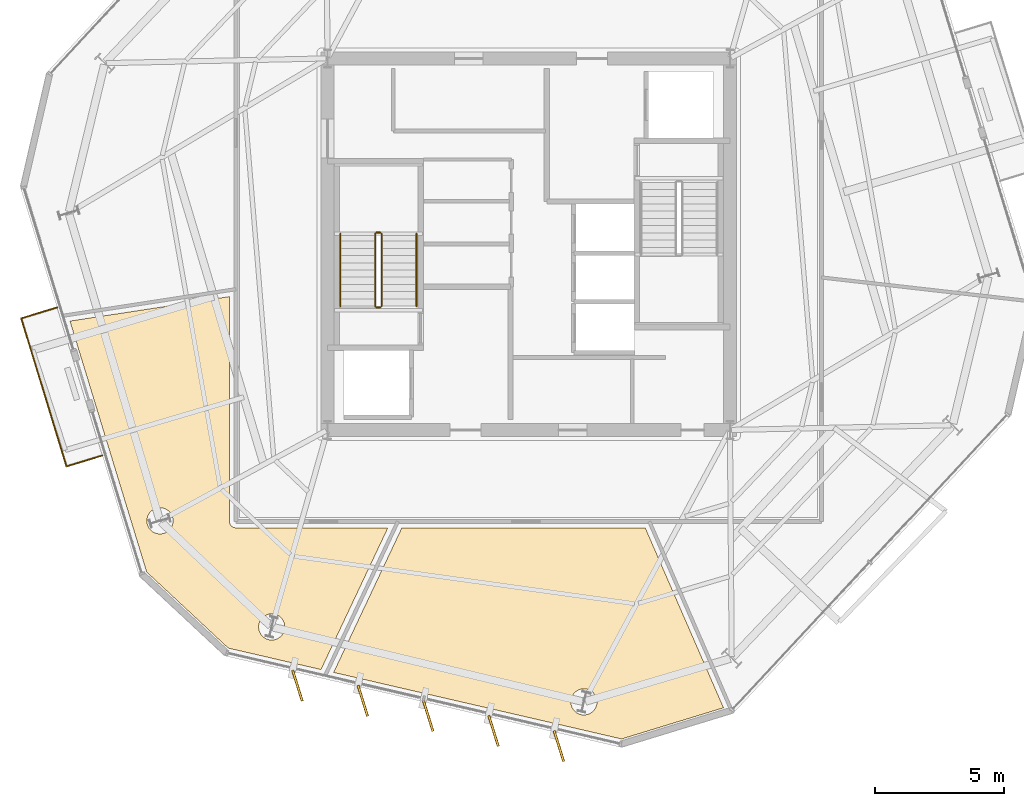
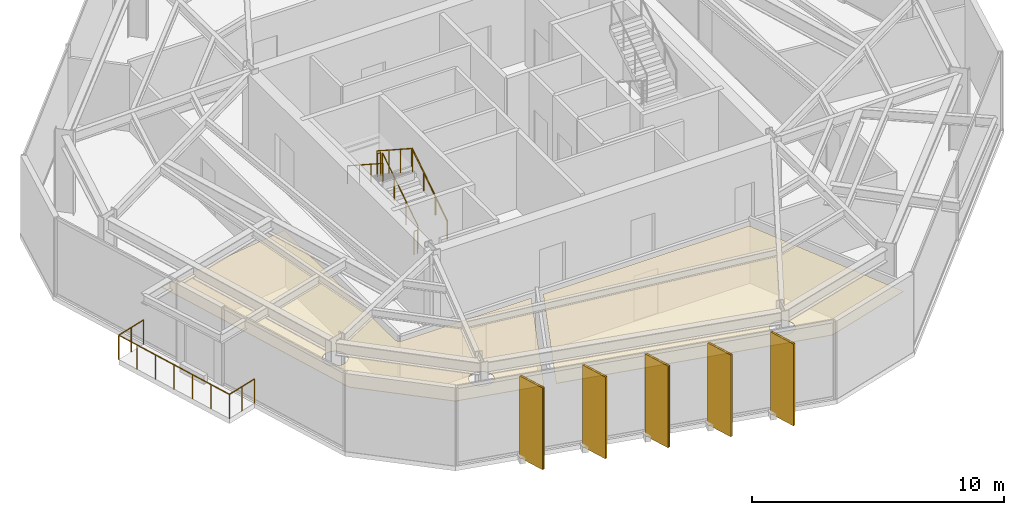
# One storey, part 9 of 11: 7 coverings, 7 railings, 5 shading devices.
"""IFC4 building model written with IfcOpenShell, lengths in metres."""

from ifc_helpers import new_model, si_unit, direction, frame, origin, origin_2d, place, context, subcontext, project, spatial, polyline, rectangle, circle, outline, extrude, material, layer, layer_set, type_object, element, save


model = new_model("IFC4")

# Units and contexts
model_context = context("Model", 3, precision=1e-05, world=origin(), true_north=direction((0.0, 1.0)))
body_context = subcontext(model_context, "Body", "Model", "MODEL_VIEW")
ifc_project = project(units=[si_unit("LENGTHUNIT", "METRE"), si_unit("AREAUNIT", "SQUARE_METRE"), si_unit("VOLUMEUNIT", "CUBIC_METRE"), si_unit("PLANEANGLEUNIT", "RADIAN"), si_unit("MASSUNIT", "GRAM", prefix="KILO")], contexts=[model_context])

# Site, building, storey
site_placement = place(None, origin())
site = spatial("IfcSite", under=ifc_project, at=site_placement, CompositionType="ELEMENT")
building_placement = place(site_placement, origin())
building = spatial("IfcBuilding", under=site, at=building_placement, Name="Kranzbogen Civic Tower", CompositionType="ELEMENT")
storey_placement = place(building_placement, frame((0.0, 0.0, 212.800048828125)))
storey = spatial("IfcBuildingStorey", under=building, at=storey_placement, Name="L51", CompositionType="ELEMENT", Elevation=212.800048828125)

# Coverings
ifc_material_1 = material(Name="Pale Anodised Aluminium", Category="aluminium")
ifc_layer_1 = layer(ifc_material_1, 0.02490234375, Name="Pale Anodised Aluminium")
ifc_layer_set_1 = layer_set([ifc_layer_1], Name="Pale Anodised Aluminium")
covering_type_1 = type_object("IfcCoveringType", Name="Anodised Aluminium Vertical Fin Cladding 25 mm", PredefinedType="CLADDING", material=ifc_layer_set_1)
for number, where, z_axis, x_axis, name in (
    (1, (16.035888671875, 7.887939453125, -0.14013671875), (0.0, 0.0, 1.0), (0.296491569842, -0.955035470029, 0.0), "L51 vertical fin pale-metal cladding F4-1"),
    (2, (18.569091796875, 7.302978515625, -0.14013671875), (0.0, 0.0, 1.0), (0.296491569842, -0.955035470029, 0.0), "L51 vertical fin pale-metal cladding F4-2"),
    (3, (21.10302734375, 6.718017578125, -0.14013671875), (0.0, 0.0, 1.0), (0.296491569842, -0.955035470029, 0.0), "L51 vertical fin pale-metal cladding F4-3"),
    (4, (23.635986328125, 6.133056640625, -0.14013671875), (0.0, 0.0, 1.0), (0.296491569842, -0.955035470029, 0.0), "L51 vertical fin pale-metal cladding F4-4"),
    (5, (26.1689453125, 5.548095703125, -0.14013671875), (0.0, 0.0, 1.0), (0.296491569842, -0.955035470029, 0.0), "L51 vertical fin pale-metal cladding F4-5"),
):
    element("IfcCovering", number, at=place(storey_placement, frame(where, z_axis=z_axis, x_axis=x_axis)), inside=storey, type_object=covering_type_1, Name=name, PredefinedType="CLADDING", context=body_context, shape_type="SweptSolid", body=[
        extrude(rectangle(XDim=1.25, YDim=0.10009765625, at=origin_2d()), origin(), (0.0, 0.0, 1.0), 3.9599609375),
    ])

# Shading devices
ifc_material_2 = material(Name="Anodised Bronze Aluminium", Category="aluminium")
shading_device_type = type_object("IfcShadingDeviceType", Name="Anodised Bronze Vertical Facade Fin 1250x80", PredefinedType="USERDEFINED", material=ifc_material_2)
for number, where, z_axis, x_axis, name in (
    (6, (16.035888671875, 7.887939453125, -0.14013671875), (0.0, 0.0, 1.0), (0.296491569842, -0.955035470029, 0.0), "L51 vertical exterior shading fin F4-1"),
    (7, (18.569091796875, 7.302978515625, -0.14013671875), (0.0, 0.0, 1.0), (0.296491569842, -0.955035470029, 0.0), "L51 vertical exterior shading fin F4-2"),
    (8, (21.10302734375, 6.718017578125, -0.14013671875), (0.0, 0.0, 1.0), (0.296491569842, -0.955035470029, 0.0), "L51 vertical exterior shading fin F4-3"),
    (9, (23.635986328125, 6.133056640625, -0.14013671875), (0.0, 0.0, 1.0), (0.296491569842, -0.955035470029, 0.0), "L51 vertical exterior shading fin F4-4"),
    (10, (26.1689453125, 5.548095703125, -0.14013671875), (0.0, 0.0, 1.0), (0.296491569842, -0.955035470029, 0.0), "L51 vertical exterior shading fin F4-5"),
):
    element("IfcShadingDevice", number, at=place(storey_placement, frame(where, z_axis=z_axis, x_axis=x_axis)), inside=storey, type_object=shading_device_type, Name=name, ObjectType="FIN", PredefinedType="USERDEFINED", context=body_context, shape_type="SweptSolid", body=[
        extrude(rectangle(XDim=1.25, YDim=0.080078125, at=origin_2d()), origin(), (0.0, 0.0, 1.0), 3.9599609375),
    ])

# Railings
railing_type_1 = type_object("IfcRailingType", Name="Cantilevered Balcony Glass and Bronze Balustrade 1200", PredefinedType="BALUSTRADE", material=ifc_material_2)
railing_1_placement = place(storey_placement, frame((6.718017578125, 22.548095703125, 0.0)))
element("IfcRailing", 11, at=railing_1_placement, inside=storey, type_object=railing_type_1, Name="L51 exterior terrace balustrade L51-TB1", PredefinedType="BALUSTRADE", context=body_context, shape_type="SweptSolid", body=[
    extrude(circle(Radius=0.02392578125, at=origin_2d()), frame((0.0, 0.0, 1.17578125), z_axis=(-0.956297978379, -0.292393872284, 0.0), x_axis=(0.292393872284, -0.956297978379, 0.0)), (0.0, 0.0, 1.0), 1.450439453125),
    extrude(circle(Radius=0.02392578125, at=origin_2d()), frame((-1.386962890625, -0.424072265625, 1.17578125), z_axis=(0.292312605077, -0.956322822541, 0.0), x_axis=(0.956322822541, 0.292312605077, 0.0)), (0.0, 0.0, 1.0), 6.0),
    extrude(circle(Radius=0.02392578125, at=origin_2d()), frame((0.366943359375, -6.162109375, 1.17578125), z_axis=(0.956297978379, 0.292393872284, 0.0), x_axis=(-0.292393872284, 0.956297978379, 0.0)), (0.0, 0.0, 1.0), 1.450439453125),
    extrude(circle(Radius=0.02099609375, at=origin_2d()), origin(), (0.0, 0.0, 1.0), 1.15185546875),
    extrude(circle(Radius=0.02099609375, at=origin_2d()), frame((-0.693359375, -0.2119140625, 0.0)), (0.0, 0.0, 1.0), 1.15185546875),
    extrude(circle(Radius=0.02099609375, at=origin_2d()), frame((-1.386962890625, -0.424072265625, 0.0)), (0.0, 0.0, 1.0), 1.15185546875),
    extrude(circle(Radius=0.02099609375, at=origin_2d()), frame((-1.0947265625, -1.38037109375, 0.0)), (0.0, 0.0, 1.0), 1.15185546875),
    extrude(circle(Radius=0.02099609375, at=origin_2d()), frame((-0.80224609375, -2.336669921875, 0.0)), (0.0, 0.0, 1.0), 1.15185546875),
    extrude(circle(Radius=0.02099609375, at=origin_2d()), frame((-0.510009765625, -3.29296875, 0.0)), (0.0, 0.0, 1.0), 1.15185546875),
    extrude(circle(Radius=0.02099609375, at=origin_2d()), frame((-0.2177734375, -4.24951171875, 0.0)), (0.0, 0.0, 1.0), 1.15185546875),
    extrude(circle(Radius=0.02099609375, at=origin_2d()), frame((0.07470703125, -5.205810546875, 0.0)), (0.0, 0.0, 1.0), 1.15185546875),
    extrude(circle(Radius=0.02099609375, at=origin_2d()), frame((0.366943359375, -6.162109375, 0.0)), (0.0, 0.0, 1.0), 1.15185546875),
    extrude(circle(Radius=0.02099609375, at=origin_2d()), frame((1.060546875, -5.9501953125, 0.0)), (0.0, 0.0, 1.0), 1.15185546875),
    extrude(circle(Radius=0.02099609375, at=origin_2d()), frame((1.75390625, -5.738037109375, 0.0)), (0.0, 0.0, 1.0), 1.15185546875),
])
ifc_material_3 = material(Name="Steel S355", Category="steel")
railing_type_2 = type_object("IfcRailingType", Name="Internal Stair and Void Steel Guardrail 1150", PredefinedType="GUARDRAIL", material=ifc_material_3)
railing_2_placement = place(storey_placement, frame((19.300048828125, 22.60009765625, 0.181884765625)))
element("IfcRailing", 12, at=railing_2_placement, inside=storey, type_object=railing_type_2, Name="L51 ST-T1 stair guard 1", PredefinedType="GUARDRAIL", context=body_context, shape_type="SweptSolid", body=[
    extrude(circle(Radius=0.02392578125, at=origin_2d()), frame((0.0, 0.0, 1.1259765625), z_axis=(0.0, 0.83868413941, 0.544618136222), x_axis=(-1.0, 0.0, 0.0)), (0.0, 0.0, 1.0), 3.33837890625),
    extrude(circle(Radius=0.02099609375, at=origin_2d()), origin(), (0.0, 0.0, 1.0), 1.101806640625),
    extrude(circle(Radius=0.02099609375, at=origin_2d()), frame((0.0, 0.933349609375, 0.60595703125)), (0.0, 0.0, 1.0), 1.101806640625),
    extrude(circle(Radius=0.02099609375, at=origin_2d()), frame((0.0, 1.866455078125, 1.212158203125)), (0.0, 0.0, 1.0), 1.101806640625),
    extrude(circle(Radius=0.02099609375, at=origin_2d()), frame((0.0, 2.7998046875, 1.818115234375)), (0.0, 0.0, 1.0), 1.101806640625),
])
railing_3_placement = place(storey_placement, frame((19.25, 25.449951171875, 2.0)))
element("IfcRailing", 13, at=railing_3_placement, inside=storey, type_object=railing_type_2, Name="L51 ST-T1 stair guard 2", PredefinedType="GUARDRAIL", context=body_context, shape_type="SweptSolid", body=[
    extrude(circle(Radius=0.02392578125, at=origin_2d()), frame((0.0, 0.0, 1.1259765625), z_axis=(-1.0, 0.0, 0.0), x_axis=(0.0, -1.0, 0.0)), (0.0, 0.0, 1.0), 0.14990234375),
    extrude(circle(Radius=0.02099609375, at=origin_2d()), origin(), (0.0, 0.0, 1.0), 1.101806640625),
    extrude(circle(Radius=0.02099609375, at=origin_2d()), frame((-0.14990234375, 0.0, 0.0)), (0.0, 0.0, 1.0), 1.101806640625),
])
railing_4_placement = place(storey_placement, frame((19.050048828125, 25.39990234375, 2.181884765625)))
element("IfcRailing", 14, at=railing_4_placement, inside=storey, type_object=railing_type_2, Name="L51 ST-T1 stair guard 3", PredefinedType="GUARDRAIL", context=body_context, shape_type="SweptSolid", body=[
    extrude(circle(Radius=0.02392578125, at=origin_2d()), frame((0.0, 0.0, 1.1259765625), z_axis=(0.0, -0.83868413941, 0.544618136222), x_axis=(1.0, 0.0, 0.0)), (0.0, 0.0, 1.0), 3.33837890625),
    extrude(circle(Radius=0.02099609375, at=origin_2d()), origin(), (0.0, 0.0, 1.0), 1.101806640625),
    extrude(circle(Radius=0.02099609375, at=origin_2d()), frame((0.0, -0.933349609375, 0.60595703125)), (0.0, 0.0, 1.0), 1.101806640625),
    extrude(circle(Radius=0.02099609375, at=origin_2d()), frame((0.0, -1.866455078125, 1.212158203125)), (0.0, 0.0, 1.0), 1.101806640625),
    extrude(circle(Radius=0.02099609375, at=origin_2d()), frame((0.0, -2.7998046875, 1.818115234375)), (0.0, 0.0, 1.0), 1.101806640625),
])
railing_5_placement = place(storey_placement, frame((19.25, 22.550048828125, 0.0)))
element("IfcRailing", 15, at=railing_5_placement, inside=storey, type_object=railing_type_2, Name="L51 ST-T1 stair guard 4", PredefinedType="GUARDRAIL", context=body_context, shape_type="SweptSolid", body=[
    extrude(circle(Radius=0.02392578125, at=origin_2d()), frame((0.0, 0.0, 1.1259765625), z_axis=(-1.0, 0.0, 0.0), x_axis=(0.0, -1.0, 0.0)), (0.0, 0.0, 1.0), 0.14990234375),
    extrude(circle(Radius=0.02099609375, at=origin_2d()), origin(), (0.0, 0.0, 1.0), 1.101806640625),
    extrude(circle(Radius=0.02099609375, at=origin_2d()), frame((-0.14990234375, 0.0, 0.0)), (0.0, 0.0, 1.0), 1.101806640625),
])

# Coverings
ifc_material_4 = material(Name="Perforated Acoustic Gypsum Ceiling")
ifc_layer_2 = layer(ifc_material_4, 0.02490234375, Name="Perforated Acoustic Gypsum Ceiling")
ifc_layer_set_2 = layer_set([ifc_layer_2], Name="Perforated Acoustic Gypsum Ceiling")
covering_type_2 = type_object("IfcCoveringType", Name="Perforated Acoustic Mineral Ceiling Tile 25 mm", PredefinedType="CEILING", material=ifc_layer_set_2)
covering_1_placement = place(storey_placement, frame((0.0, 0.0, 2.89990234375)))
element("IfcCovering", 16, at=covering_1_placement, inside=storey, type_object=covering_type_2, Name="L51 Delegates Sitting Lounge acoustic ceiling", PredefinedType="CEILING", context=body_context, shape_type="SweptSolid", body=[
    extrude(outline(polyline([(10.193115234375, 12.29296875), (7.219970703125, 22.01904296875), (13.405029296875, 22.968994140625), (13.405029296875, 14.25), (13.405029296875, 14.240966796875), (13.406005859375, 14.235107421875), (13.406982421875, 14.217041015625), (13.407958984375, 14.2109375), (13.412109375, 14.194091796875), (13.4130859375, 14.18701171875), (13.41796875, 14.169921875), (13.419921875, 14.1640625), (13.427001953125, 14.14794921875), (13.429931640625, 14.14208984375), (13.43798828125, 14.126953125), (13.44189453125, 14.12109375), (13.450927734375, 14.10693359375), (13.455078125, 14.10205078125), (13.466064453125, 14.087890625), (13.470947265625, 14.0830078125), (13.48291015625, 14.071044921875), (13.488037109375, 14.06591796875), (13.501953125, 14.054931640625), (13.507080078125, 14.051025390625), (13.52099609375, 14.0419921875), (13.527099609375, 14.0380859375), (13.5419921875, 14.030029296875), (13.548095703125, 14.027099609375), (13.56396484375, 14.02001953125), (13.570068359375, 14.01806640625), (13.5869140625, 14.012939453125), (13.593994140625, 14.011962890625), (13.611083984375, 14.008056640625), (13.616943359375, 14.007080078125), (13.635009765625, 14.006103515625), (13.64111328125, 14.0048828125), (13.64990234375, 14.0048828125), (19.541015625, 14.0048828125), (16.949951171875, 8.512939453125), (13.35693359375, 9.343017578125), (10.193115234375, 12.29296875)]), holes=[polyline([(15.508056640625, 9.970947265625), (15.486083984375, 9.926025390625), (15.4609375, 9.883056640625), (15.430908203125, 9.843017578125), (15.39794921875, 9.805908203125), (15.361083984375, 9.77294921875), (15.321044921875, 9.742919921875), (15.278076171875, 9.718017578125), (15.23291015625, 9.696044921875), (15.18603515625, 9.679931640625), (15.137939453125, 9.66796875), (15.089111328125, 9.659912109375), (15.0390625, 9.657958984375), (14.989013671875, 9.659912109375), (14.93994140625, 9.66796875), (14.89208984375, 9.679931640625), (14.844970703125, 9.696044921875), (14.800048828125, 9.718017578125), (14.757080078125, 9.742919921875), (14.717041015625, 9.77294921875), (14.679931640625, 9.805908203125), (14.64697265625, 9.843017578125), (14.616943359375, 9.883056640625), (14.592041015625, 9.926025390625), (14.570068359375, 9.970947265625), (14.553955078125, 10.01806640625), (14.5419921875, 10.06591796875), (14.533935546875, 10.114990234375), (14.531982421875, 10.1650390625), (14.533935546875, 10.215087890625), (14.5419921875, 10.263916015625), (14.553955078125, 10.31201171875), (14.570068359375, 10.35888671875), (14.592041015625, 10.404052734375), (14.616943359375, 10.447021484375), (14.64697265625, 10.487060546875), (14.679931640625, 10.52392578125), (14.717041015625, 10.556884765625), (14.757080078125, 10.5869140625), (14.800048828125, 10.612060546875), (14.844970703125, 10.634033203125), (14.89208984375, 10.64990234375), (14.93994140625, 10.662109375), (14.989013671875, 10.669921875), (15.0390625, 10.672119140625), (15.089111328125, 10.669921875), (15.137939453125, 10.662109375), (15.18603515625, 10.64990234375), (15.23291015625, 10.634033203125), (15.278076171875, 10.612060546875), (15.321044921875, 10.5869140625), (15.361083984375, 10.556884765625), (15.39794921875, 10.52392578125), (15.430908203125, 10.487060546875), (15.4609375, 10.447021484375), (15.486083984375, 10.404052734375), (15.508056640625, 10.35888671875), (15.52392578125, 10.31201171875), (15.535888671875, 10.263916015625), (15.5439453125, 10.215087890625), (15.5458984375, 10.1650390625), (15.5439453125, 10.114990234375), (15.535888671875, 10.06591796875), (15.52392578125, 10.01806640625), (15.508056640625, 9.970947265625)]), polyline([(11.176025390625, 14.08203125), (11.154052734375, 14.037109375), (11.12890625, 13.993896484375), (11.09912109375, 13.9541015625), (11.06591796875, 13.9169921875), (11.029052734375, 13.884033203125), (10.989013671875, 13.85400390625), (10.946044921875, 13.8291015625), (10.90087890625, 13.806884765625), (10.85400390625, 13.791015625), (10.805908203125, 13.779052734375), (10.757080078125, 13.77099609375), (10.70703125, 13.76904296875), (10.656982421875, 13.77099609375), (10.60791015625, 13.779052734375), (10.56005859375, 13.791015625), (10.512939453125, 13.806884765625), (10.468017578125, 13.8291015625), (10.425048828125, 13.85400390625), (10.385009765625, 13.884033203125), (10.347900390625, 13.9169921875), (10.31494140625, 13.9541015625), (10.284912109375, 13.993896484375), (10.260009765625, 14.037109375), (10.238037109375, 14.08203125), (10.221923828125, 14.12890625), (10.2099609375, 14.177001953125), (10.201904296875, 14.22607421875), (10.199951171875, 14.27587890625), (10.201904296875, 14.325927734375), (10.2099609375, 14.375), (10.221923828125, 14.423095703125), (10.238037109375, 14.469970703125), (10.260009765625, 14.514892578125), (10.284912109375, 14.55810546875), (10.31494140625, 14.597900390625), (10.347900390625, 14.635009765625), (10.385009765625, 14.66796875), (10.425048828125, 14.697998046875), (10.468017578125, 14.722900390625), (10.512939453125, 14.7451171875), (10.56005859375, 14.760986328125), (10.60791015625, 14.77294921875), (10.656982421875, 14.781005859375), (10.70703125, 14.782958984375), (10.757080078125, 14.781005859375), (10.805908203125, 14.77294921875), (10.85400390625, 14.760986328125), (10.90087890625, 14.7451171875), (10.946044921875, 14.722900390625), (10.989013671875, 14.697998046875), (11.029052734375, 14.66796875), (11.06591796875, 14.635009765625), (11.09912109375, 14.597900390625), (11.12890625, 14.55810546875), (11.154052734375, 14.514892578125), (11.176025390625, 14.469970703125), (11.19189453125, 14.423095703125), (11.2041015625, 14.375), (11.2119140625, 14.325927734375), (11.214111328125, 14.27587890625), (11.2119140625, 14.22607421875), (11.2041015625, 14.177001953125), (11.19189453125, 14.12890625), (11.176025390625, 14.08203125)])]), origin(), (0.0, 0.0, 1.0), 0.025146484375),
])
covering_2_placement = place(storey_placement, frame((0.0, 0.0, 2.89990234375)))
element("IfcCovering", 17, at=covering_2_placement, inside=storey, type_object=covering_type_2, Name="L51 Executive Research Study acoustic ceiling", PredefinedType="CEILING", context=body_context, shape_type="SweptSolid", body=[
    extrude(outline(polyline([(17.43896484375, 8.40087890625), (20.0830078125, 14.0048828125), (29.51611328125, 14.0048828125), (32.550048828125, 7.031005859375), (28.60107421875, 5.822998046875), (17.43896484375, 8.40087890625)]), holes=[polyline([(27.60888671875, 7.06591796875), (27.5869140625, 7.02099609375), (27.56201171875, 6.97802734375), (27.531982421875, 6.93798828125), (27.4990234375, 6.90087890625), (27.4619140625, 6.867919921875), (27.422119140625, 6.837890625), (27.37890625, 6.81298828125), (27.333984375, 6.791015625), (27.287109375, 6.77490234375), (27.239013671875, 6.762939453125), (27.18994140625, 6.7548828125), (27.139892578125, 6.7529296875), (27.090087890625, 6.7548828125), (27.041015625, 6.762939453125), (26.992919921875, 6.77490234375), (26.946044921875, 6.791015625), (26.90087890625, 6.81298828125), (26.85791015625, 6.837890625), (26.818115234375, 6.867919921875), (26.781005859375, 6.90087890625), (26.748046875, 6.93798828125), (26.718017578125, 6.97802734375), (26.693115234375, 7.02099609375), (26.6708984375, 7.06591796875), (26.655029296875, 7.113037109375), (26.64306640625, 7.160888671875), (26.635009765625, 7.2099609375), (26.633056640625, 7.260009765625), (26.635009765625, 7.31005859375), (26.64306640625, 7.35888671875), (26.655029296875, 7.406982421875), (26.6708984375, 7.4541015625), (26.693115234375, 7.4990234375), (26.718017578125, 7.5419921875), (26.748046875, 7.58203125), (26.781005859375, 7.618896484375), (26.818115234375, 7.652099609375), (26.85791015625, 7.681884765625), (26.90087890625, 7.70703125), (26.946044921875, 7.72900390625), (26.992919921875, 7.7451171875), (27.041015625, 7.757080078125), (27.090087890625, 7.764892578125), (27.139892578125, 7.76708984375), (27.18994140625, 7.764892578125), (27.239013671875, 7.757080078125), (27.287109375, 7.7451171875), (27.333984375, 7.72900390625), (27.37890625, 7.70703125), (27.422119140625, 7.681884765625), (27.4619140625, 7.652099609375), (27.4990234375, 7.618896484375), (27.531982421875, 7.58203125), (27.56201171875, 7.5419921875), (27.5869140625, 7.4990234375), (27.60888671875, 7.4541015625), (27.625, 7.406982421875), (27.636962890625, 7.35888671875), (27.64501953125, 7.31005859375), (27.64697265625, 7.260009765625), (27.64501953125, 7.2099609375), (27.636962890625, 7.160888671875), (27.625, 7.113037109375), (27.60888671875, 7.06591796875)])]), origin(), (0.0, 0.0, 1.0), 0.025146484375),
])

# Railings
railing_type_3 = type_object("IfcRailingType", Name="Tubular Stainless Stair Wall Handrail 900", PredefinedType="HANDRAIL", material=ifc_material_1)
railing_6_placement = place(storey_placement, frame((20.64990234375, 22.60009765625, 0.181884765625)))
element("IfcRailing", 18, at=railing_6_placement, inside=storey, type_object=railing_type_3, Name="L51 ST-T1 stair handrail 1", PredefinedType="HANDRAIL", context=body_context, shape_type="SweptSolid", body=[
    extrude(circle(Radius=0.02392578125, at=origin_2d()), frame((0.0, 0.0, 0.8759765625), z_axis=(0.0, 0.83868413941, 0.544618136222), x_axis=(-1.0, 0.0, 0.0)), (0.0, 0.0, 1.0), 3.33837890625),
    extrude(circle(Radius=0.02099609375, at=origin_2d()), origin(), (0.0, 0.0, 1.0), 0.851806640625),
    extrude(circle(Radius=0.02099609375, at=origin_2d()), frame((0.0, 0.933349609375, 0.60595703125)), (0.0, 0.0, 1.0), 0.851806640625),
    extrude(circle(Radius=0.02099609375, at=origin_2d()), frame((0.0, 1.866455078125, 1.212158203125)), (0.0, 0.0, 1.0), 0.851806640625),
    extrude(circle(Radius=0.02099609375, at=origin_2d()), frame((0.0, 2.7998046875, 1.818115234375)), (0.0, 0.0, 1.0), 0.851806640625),
])
railing_7_placement = place(storey_placement, frame((17.699951171875, 25.39990234375, 2.181884765625)))
element("IfcRailing", 19, at=railing_7_placement, inside=storey, type_object=railing_type_3, Name="L51 ST-T1 stair handrail 2", PredefinedType="HANDRAIL", context=body_context, shape_type="SweptSolid", body=[
    extrude(circle(Radius=0.02392578125, at=origin_2d()), frame((0.0, 0.0, 0.8759765625), z_axis=(0.0, -0.83868413941, 0.544618136222), x_axis=(1.0, 0.0, 0.0)), (0.0, 0.0, 1.0), 3.33837890625),
    extrude(circle(Radius=0.02099609375, at=origin_2d()), origin(), (0.0, 0.0, 1.0), 0.851806640625),
    extrude(circle(Radius=0.02099609375, at=origin_2d()), frame((0.0, -0.933349609375, 0.60595703125)), (0.0, 0.0, 1.0), 0.851806640625),
    extrude(circle(Radius=0.02099609375, at=origin_2d()), frame((0.0, -1.866455078125, 1.212158203125)), (0.0, 0.0, 1.0), 0.851806640625),
    extrude(circle(Radius=0.02099609375, at=origin_2d()), frame((0.0, -2.7998046875, 1.818115234375)), (0.0, 0.0, 1.0), 0.851806640625),
])

save(model, "model.ifc")
